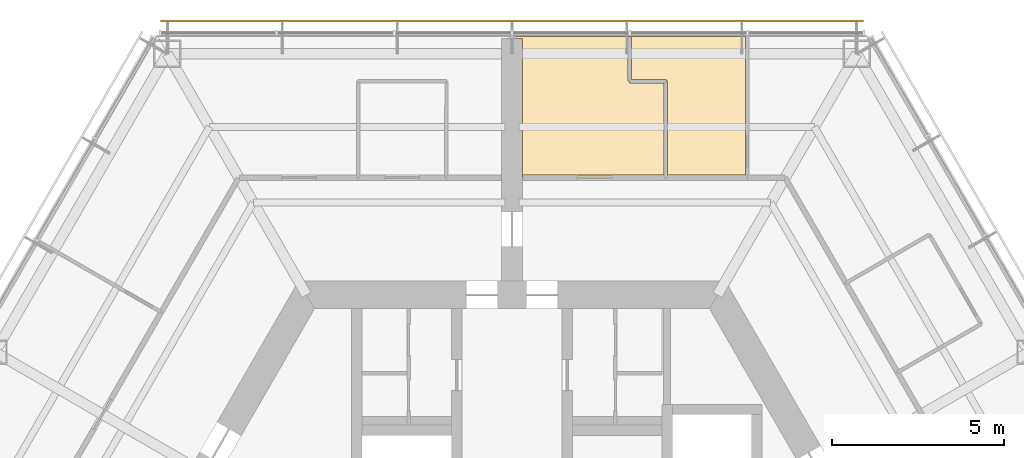
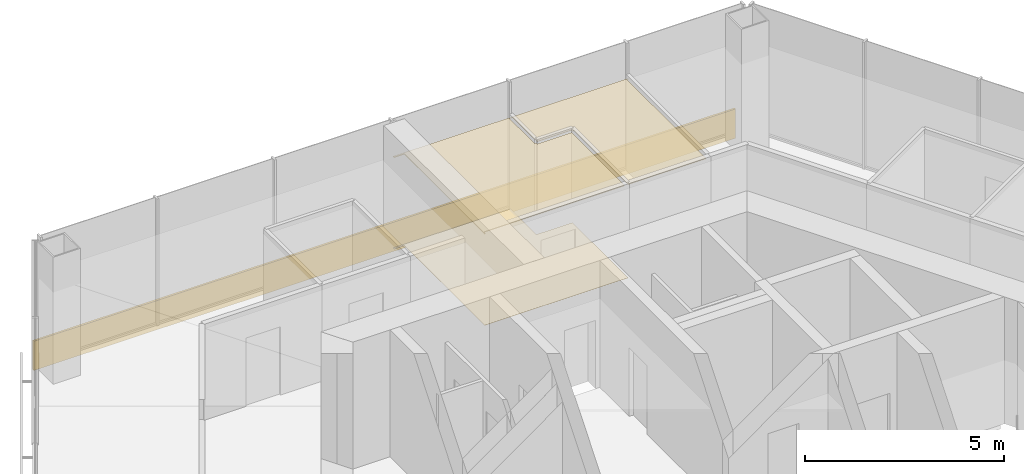
# One storey, part 13 of 13: 3 coverings, 1 shading device.
"""IFC4 building model written with IfcOpenShell, lengths in metres."""

from ifc_helpers import new_model, si_unit, direction, frame, origin, origin_2d, place, context, subcontext, project, spatial, polyline, rectangle, outline, extrude, material, layer, layer_set, type_object, element, save


model = new_model("IFC4")

# Units and contexts
model_context = context("Model", 3, precision=1e-05, world=origin(), true_north=direction((0.0, 1.0)))
body_context = subcontext(model_context, "Body", "Model", "MODEL_VIEW")
ifc_project = project(units=[si_unit("LENGTHUNIT", "METRE"), si_unit("AREAUNIT", "SQUARE_METRE"), si_unit("VOLUMEUNIT", "CUBIC_METRE"), si_unit("PLANEANGLEUNIT", "RADIAN"), si_unit("MASSUNIT", "GRAM", prefix="KILO")], contexts=[model_context])

# Site, building, storey
site_placement = place(None, origin())
site = spatial("IfcSite", under=ifc_project, at=site_placement, CompositionType="ELEMENT")
building_placement = place(site_placement, origin())
building = spatial("IfcBuilding", under=site, at=building_placement, Name="Kasaneha Research Tower", CompositionType="ELEMENT")
storey_placement = place(building_placement, frame((0.0, 0.0, 271.300048828125)))
storey = spatial("IfcBuildingStorey", under=building, at=storey_placement, Name="L68", CompositionType="ELEMENT", Elevation=271.300048828125)

# Coverings
ifc_material_1 = material(Name="Gypsum ceiling board", Category="gypsum")
ifc_layer_1 = layer(ifc_material_1, 0.02001953125)
ifc_layer_set_1 = layer_set([ifc_layer_1], Name="Suspended ceiling 20")
covering_type_1 = type_object("IfcCoveringType", Name="Suspended ceiling 20", PredefinedType="CEILING", material=ifc_layer_set_1)
covering_1_placement = place(storey_placement, frame((0.0, 0.0, 2.800048828125)))
element("IfcCovering", 1, at=covering_1_placement, inside=storey, type_object=covering_type_1, Name="Ceiling L68-28", PredefinedType="CEILING", context=body_context, shape_type="SweptSolid", body=[
    extrude(outline(polyline([(0.300048828125, 13.725341796875), (0.300048828125, 17.7705078125), (0.0, 17.7705078125), (-0.000244140625, 17.82080078125), (3.4150390625, 17.821044921875), (3.4150390625, 17.800537109375), (3.364990234375, 17.800537109375), (3.364990234375, 16.52490234375), (3.4150390625, 16.52490234375), (3.4150390625, 16.52490234375), (3.4150390625, 16.52490234375), (3.4150390625, 16.47509765625), (4.414794921875, 16.47509765625), (4.41015625, 13.800048828125), (0.320068359375, 13.800048828125), (0.320068359375, 13.725341796875), (0.300048828125, 13.725341796875)])), origin(), (0.0, 0.0, 1.0), 0.02001953125),
])
covering_2_placement = place(storey_placement, frame((0.0, 0.0, 2.800048828125)))
element("IfcCovering", 2, at=covering_2_placement, inside=storey, type_object=covering_type_1, Name="Ceiling L68-31", PredefinedType="CEILING", context=body_context, shape_type="SweptSolid", body=[
    extrude(outline(polyline([(6.8310546875, 17.800537109375), (6.781005859375, 17.800537109375), (6.776611328125, 13.800048828125), (4.510009765625, 13.800048828125), (4.514892578125, 16.52490234375), (4.465087890625, 16.52490234375), (4.465087890625, 16.574951171875), (3.465087890625, 16.574951171875), (3.465087890625, 17.800537109375), (3.41552734375, 17.800537109375), (3.41552734375, 17.820556640625), (6.8310546875, 17.820556640625), (6.8310546875, 17.800537109375)])), origin(), (0.0, 0.0, 1.0), 0.02001953125),
])

# Shading device
ifc_material_2 = material(Name="Terracotta", Category="masonry")
ifc_layer_2 = layer(ifc_material_2, 0.06005859375)
ifc_layer_set_2 = layer_set([ifc_layer_2], Name="Terracotta baguette screen")
shading_device_type = type_object("IfcShadingDeviceType", Name="Terracotta baguette screen", PredefinedType="USERDEFINED", material=ifc_layer_set_2)
shading_device_placement = place(storey_placement, frame((0.0, 18.2705078125, -0.449951171875), z_axis=(0.0, 0.0, 1.0), x_axis=(-1.0, 0.0, 0.0)))
element("IfcShadingDevice", 3, at=shading_device_placement, inside=storey, type_object=shading_device_type, Name="Baguette screen L68 02", ObjectType="TERRACOTTA BAGUETTE SCREEN", PredefinedType="USERDEFINED", context=body_context, shape_type="SweptSolid", body=[
    extrude(rectangle(XDim=20.392822265625, YDim=0.06005859375, at=origin_2d()), origin(), (0.0, 0.0, 1.0), 0.89990234375),
])

# Covering
ifc_material_3 = material(Name="Vinyl sheet flooring", Category="plastic")
ifc_layer_3 = layer(ifc_material_3, 0.0048828125)
ifc_layer_set_3 = layer_set([ifc_layer_3], Name="Wet room sheet flooring 5")
covering_type_2 = type_object("IfcCoveringType", Name="Wet room sheet flooring 5", PredefinedType="FLOORING", material=ifc_layer_set_3)
covering_3_placement = place(storey_placement, origin())
element("IfcCovering", 4, at=covering_3_placement, inside=storey, type_object=covering_type_2, Name="Floor finish L68-28", PredefinedType="FLOORING", context=body_context, shape_type="SweptSolid", body=[
    extrude(outline(polyline([(4.465087890625, 16.52490234375), (4.465087890625, 13.72509765625), (0.299560546875, 13.725341796875), (0.299560546875, 17.77001953125), (0.0, 17.77001953125), (-0.000244140625, 17.82080078125), (3.4150390625, 17.821044921875), (3.4150390625, 16.52490234375), (4.465087890625, 16.52490234375)])), origin(), (0.0, 0.0, 1.0), 0.0048828125),
])

save(model, "model.ifc")
